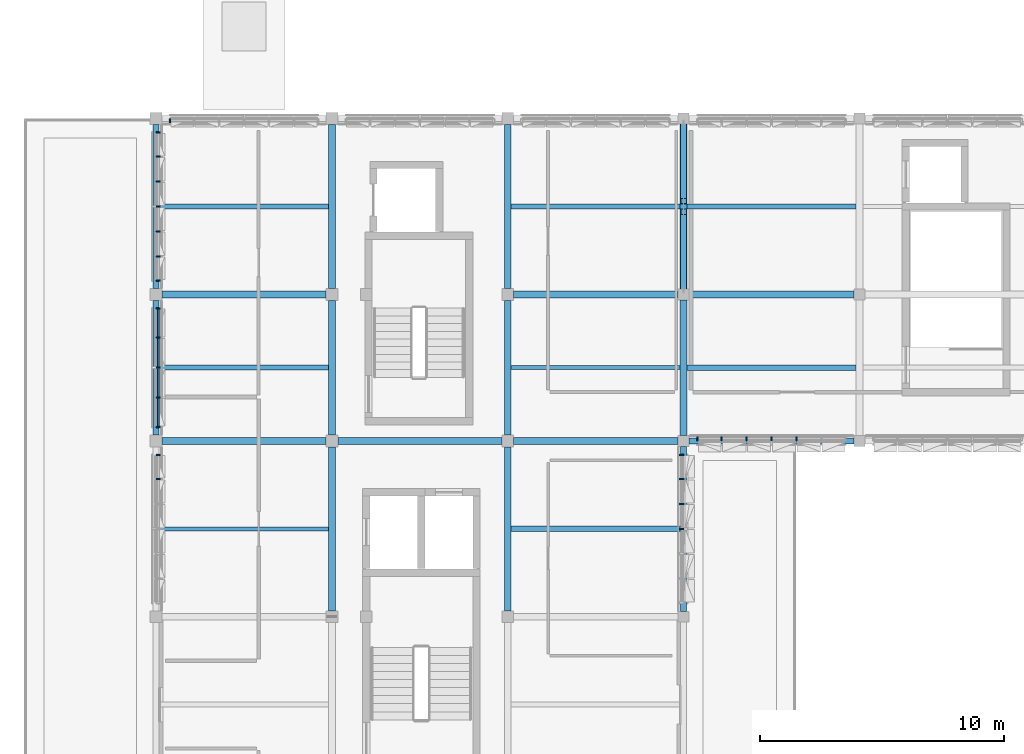
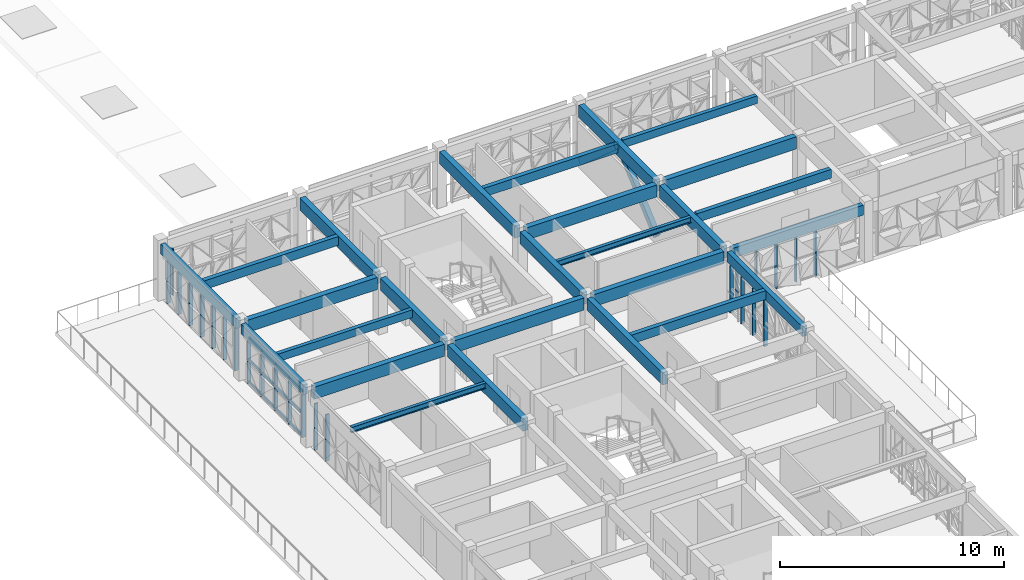
# One storey, part 4 of 35: 38 members, 26 beams, 6 elements without a shape of their own.
"""IFC4 building model written with IfcOpenShell, lengths in metres."""

from ifc_helpers import new_model, si_unit, direction, frame, origin, origin_2d, place, context, subcontext, project, spatial, rectangle, hollow_rectangle, i_section, extrude, material, material_profile, profile_set, type_object, element, aggregate, save


model = new_model("IFC4")

# Units and contexts
model_context = context("Model", 3, precision=1e-05, world=origin(), true_north=direction((0.0, 1.0)))
body_context = subcontext(model_context, "Body", "Model", "MODEL_VIEW")
ifc_project = project(units=[si_unit("LENGTHUNIT", "METRE"), si_unit("AREAUNIT", "SQUARE_METRE"), si_unit("VOLUMEUNIT", "CUBIC_METRE"), si_unit("PLANEANGLEUNIT", "RADIAN"), si_unit("MASSUNIT", "GRAM", prefix="KILO")], contexts=[model_context])

# Site, building, storey
site_placement = place(None, origin())
site = spatial("IfcSite", under=ifc_project, at=site_placement, CompositionType="ELEMENT")
building_placement = place(site_placement, origin())
building = spatial("IfcBuilding", under=site, at=building_placement, Name="Alvorim Cloister Faculty of Sciences", CompositionType="ELEMENT")
storey_placement = place(building_placement, frame((0.0, 0.0, 22.949951171875)))
storey = spatial("IfcBuildingStorey", under=building, at=storey_placement, Name="L06", CompositionType="ELEMENT", Elevation=22.949951171875)

# Beams
ifc_material_1 = material(Name="Glulam GL28h", Category="wood")
ifc_material_profile_1 = material_profile(ifc_material_1, rectangle(XDim=0.280029296875, YDim=0.659912109375, at=origin_2d()), Name="GL28-BM-280x660")
ifc_profile_set_1 = profile_set([ifc_material_profile_1], Name="Glulam GL28h")
beam_type_1 = type_object("IfcBeamType", Name="BM-GL-280x660", PredefinedType="BEAM", material=ifc_profile_set_1)
beam_1_placement = place(storey_placement, frame((7.43994140625, 43.199951171875, 2.760009765625), z_axis=(1.0, 0.0, 0.0), x_axis=(0.0, 1.0, 0.0)))
element("IfcBeam", 1, at=beam_1_placement, inside=storey, type_object=beam_type_1, Name="L06 Primary Beam BM-2047", PredefinedType="BEAM", context=body_context, shape_type="SweptSolid", body=[
    extrude(rectangle(XDim=0.280029296875, YDim=0.659912109375, at=origin_2d()), origin(), (0.0, 0.0, 1.0), 6.719970703125),
])
beam_2_placement = place(storey_placement, frame((14.639892578125, 43.199951171875, 2.760009765625), z_axis=(1.0, 0.0, 0.0), x_axis=(0.0, 1.0, 0.0)))
element("IfcBeam", 2, at=beam_2_placement, inside=storey, type_object=beam_type_1, Name="L06 Primary Beam BM-2048", PredefinedType="BEAM", context=body_context, shape_type="SweptSolid", body=[
    extrude(rectangle(XDim=0.280029296875, YDim=0.659912109375, at=origin_2d()), origin(), (0.0, 0.0, 1.0), 6.72021484375),
])
beam_3_placement = place(storey_placement, frame((21.840087890625, 43.199951171875, 2.760009765625), z_axis=(1.0, 0.0, 0.0), x_axis=(0.0, 1.0, 0.0)))
element("IfcBeam", 3, at=beam_3_placement, inside=storey, type_object=beam_type_1, Name="L06 Primary Beam BM-2049", PredefinedType="BEAM", context=body_context, shape_type="SweptSolid", body=[
    extrude(rectangle(XDim=0.280029296875, YDim=0.659912109375, at=origin_2d()), origin(), (0.0, 0.0, 1.0), 6.739990234375),
])
beam_4_placement = place(storey_placement, frame((7.43994140625, 49.199951171875, 2.760009765625), z_axis=(1.0, 0.0, 0.0), x_axis=(0.0, 1.0, 0.0)))
element("IfcBeam", 4, at=beam_4_placement, inside=storey, type_object=beam_type_1, Name="L06 Primary Beam BM-2053", PredefinedType="BEAM", context=body_context, shape_type="SweptSolid", body=[
    extrude(rectangle(XDim=0.280029296875, YDim=0.659912109375, at=origin_2d()), origin(), (0.0, 0.0, 1.0), 6.719970703125),
])
beam_5_placement = place(storey_placement, frame((21.840087890625, 49.199951171875, 2.760009765625), z_axis=(1.0, 0.0, 0.0), x_axis=(0.0, 1.0, 0.0)))
element("IfcBeam", 5, at=beam_5_placement, inside=storey, type_object=beam_type_1, Name="L06 Primary Beam BM-2054", PredefinedType="BEAM", context=body_context, shape_type="SweptSolid", body=[
    extrude(rectangle(XDim=0.280029296875, YDim=0.659912109375, at=origin_2d()), origin(), (0.0, 0.0, 1.0), 6.739990234375),
])
beam_6_placement = place(storey_placement, frame((29.02001953125, 49.199951171875, 2.860107421875), z_axis=(1.0, 0.0, 0.0), x_axis=(0.0, 1.0, 0.0)))
element("IfcBeam", 6, at=beam_6_placement, inside=storey, type_object=beam_type_1, Name="L06 Primary Beam BM-2055", PredefinedType="BEAM", context=body_context, shape_type="SweptSolid", body=[
    extrude(rectangle(XDim=0.280029296875, YDim=0.659912109375, at=origin_2d()), origin(), (0.0, 0.0, 1.0), 6.760009765625),
])
beam_7_placement = place(storey_placement, frame((14.39990234375, 36.239990234375, 2.760009765625), z_axis=(0.0, 1.0, 0.0), x_axis=(-1.0, 0.0, 0.0)))
element("IfcBeam", 7, at=beam_7_placement, inside=storey, type_object=beam_type_1, Name="L06 Primary Girder BM-2075", PredefinedType="BEAM", context=body_context, shape_type="SweptSolid", body=[
    extrude(rectangle(XDim=0.280029296875, YDim=0.659912109375, at=origin_2d()), origin(), (0.0, 0.0, 1.0), 6.719970703125),
])
beam_8_placement = place(storey_placement, frame((14.39990234375, 43.43994140625, 2.760009765625), z_axis=(0.0, 1.0, 0.0), x_axis=(-1.0, 0.0, 0.0)))
element("IfcBeam", 8, at=beam_8_placement, inside=storey, type_object=beam_type_1, Name="L06 Primary Girder BM-2076", PredefinedType="BEAM", context=body_context, shape_type="SweptSolid", body=[
    extrude(rectangle(XDim=0.280029296875, YDim=0.659912109375, at=origin_2d()), origin(), (0.0, 0.0, 1.0), 5.52001953125),
])
for number, where, z_axis, x_axis, name in (
    (9, (14.39990234375, 49.43994140625, 2.760009765625), (0.0, 1.0, 0.0), (-1.0, 0.0, 0.0), "L06 Primary Girder BM-2077"),
    (10, (21.60009765625, 36.239990234375, 2.760009765625), (0.0, 1.0, 0.0), (-1.0, 0.0, 0.0), "L06 Primary Girder BM-2082"),
):
    element("IfcBeam", number, at=place(storey_placement, frame(where, z_axis=z_axis, x_axis=x_axis)), inside=storey, type_object=beam_type_1, Name=name, PredefinedType="BEAM", context=body_context, shape_type="SweptSolid", body=[
        extrude(rectangle(XDim=0.280029296875, YDim=0.659912109375, at=origin_2d()), origin(), (0.0, 0.0, 1.0), 6.719970703125),
    ])
beam_9_placement = place(storey_placement, frame((21.60009765625, 43.43994140625, 2.760009765625), z_axis=(0.0, 1.0, 0.0), x_axis=(-1.0, 0.0, 0.0)))
element("IfcBeam", 11, at=beam_9_placement, inside=storey, type_object=beam_type_1, Name="L06 Primary Girder BM-2083", PredefinedType="BEAM", context=body_context, shape_type="SweptSolid", body=[
    extrude(rectangle(XDim=0.280029296875, YDim=0.659912109375, at=origin_2d()), origin(), (0.0, 0.0, 1.0), 5.52001953125),
])
beam_10_placement = place(storey_placement, frame((21.60009765625, 49.43994140625, 2.760009765625), z_axis=(0.0, 1.0, 0.0), x_axis=(-1.0, 0.0, 0.0)))
element("IfcBeam", 12, at=beam_10_placement, inside=storey, type_object=beam_type_1, Name="L06 Primary Girder BM-2084", PredefinedType="BEAM", context=body_context, shape_type="SweptSolid", body=[
    extrude(rectangle(XDim=0.280029296875, YDim=0.659912109375, at=origin_2d()), origin(), (0.0, 0.0, 1.0), 6.719970703125),
])
beam_11_placement = place(storey_placement, frame((28.800048828125, 43.419921875, 2.760009765625), z_axis=(0.0, 1.0, 0.0), x_axis=(-1.0, 0.0, 0.0)))
element("IfcBeam", 13, at=beam_11_placement, inside=storey, type_object=beam_type_1, Name="L06 Primary Girder BM-2090", PredefinedType="BEAM", context=body_context, shape_type="SweptSolid", body=[
    extrude(rectangle(XDim=0.280029296875, YDim=0.659912109375, at=origin_2d()), origin(), (0.0, 0.0, 1.0), 5.56005859375),
])
beam_12_placement = place(storey_placement, frame((28.800048828125, 49.419921875, 2.760009765625), z_axis=(0.0, 1.0, 0.0), x_axis=(-1.0, 0.0, 0.0)))
element("IfcBeam", 14, at=beam_12_placement, inside=storey, type_object=beam_type_1, Name="L06 Primary Girder BM-2091", PredefinedType="BEAM", context=body_context, shape_type="SweptSolid", body=[
    extrude(rectangle(XDim=0.280029296875, YDim=0.659912109375, at=origin_2d()), origin(), (0.0, 0.0, 1.0), 6.760009765625),
])
ifc_material_profile_2 = material_profile(ifc_material_1, rectangle(XDim=0.199951171875, YDim=0.419921875, at=origin_2d()), Name="GL28-JST-200x420")
ifc_profile_set_2 = profile_set([ifc_material_profile_2], Name="Glulam GL28h")
beam_type_2 = type_object("IfcBeamType", Name="BM-JST-GL-200x420", PredefinedType="JOIST", material=ifc_profile_set_2)
beam_13_placement = place(storey_placement, frame((7.320068359375, 46.199951171875, 2.880126953125), z_axis=(1.0, 0.0, 0.0), x_axis=(0.0, 1.0, 0.0)))
element("IfcBeam", 15, at=beam_13_placement, inside=storey, type_object=beam_type_2, Name="L06 Secondary Floor Joist BM-2103", PredefinedType="JOIST", context=body_context, shape_type="SweptSolid", body=[
    extrude(rectangle(XDim=0.199951171875, YDim=0.419921875, at=origin_2d()), origin(), (0.0, 0.0, 1.0), 6.93994140625),
])
beam_14_placement = place(storey_placement, frame((28.93994140625, 52.800048828125, 2.97998046875), z_axis=(1.0, 0.0, 0.0), x_axis=(0.0, 1.0, 0.0)))
element("IfcBeam", 16, at=beam_14_placement, inside=storey, type_object=beam_type_2, Name="L06 Secondary Floor Joist BM-2114", PredefinedType="JOIST", context=body_context, shape_type="SweptSolid", body=[
    extrude(rectangle(XDim=0.199951171875, YDim=0.419921875, at=origin_2d()), origin(), (0.0, 0.0, 1.0), 6.920166015625),
])
ifc_material_profile_3 = material_profile(ifc_material_1, rectangle(XDim=0.219970703125, YDim=0.47998046875, at=origin_2d()), Name="GL28-JST-220x480")
ifc_profile_set_3 = profile_set([ifc_material_profile_3], Name="Glulam GL28h")
beam_type_3 = type_object("IfcBeamType", Name="BM-JST-GL-220x480", PredefinedType="JOIST", material=ifc_profile_set_3)
for number, where, z_axis, x_axis, name in (
    (17, (7.320068359375, 52.800048828125, 2.85009765625), (1.0, 0.0, 0.0), (0.0, 1.0, 0.0), "L06 Secondary Floor Joist BM-2104"),
    (18, (21.739990234375, 39.60009765625, 2.85009765625), (1.0, 0.0, 0.0), (0.0, 1.0, 0.0), "L06 Secondary Floor Joist BM-2110"),
):
    element("IfcBeam", number, at=place(storey_placement, frame(where, z_axis=z_axis, x_axis=x_axis)), inside=storey, type_object=beam_type_3, Name=name, PredefinedType="JOIST", context=body_context, shape_type="SweptSolid", body=[
        extrude(rectangle(XDim=0.219970703125, YDim=0.47998046875, at=origin_2d()), origin(), (0.0, 0.0, 1.0), 6.93994140625),
    ])
beam_15_placement = place(storey_placement, frame((21.739990234375, 52.800048828125, 2.85009765625), z_axis=(1.0, 0.0, 0.0), x_axis=(0.0, 1.0, 0.0)))
element("IfcBeam", 19, at=beam_15_placement, inside=storey, type_object=beam_type_3, Name="L06 Secondary Floor Joist BM-2112", PredefinedType="JOIST", context=body_context, shape_type="SweptSolid", body=[
    extrude(rectangle(XDim=0.219970703125, YDim=0.47998046875, at=origin_2d()), origin(), (0.0, 0.0, 1.0), 6.919921875),
])
beam_16_placement = place(storey_placement, frame((28.93994140625, 46.199951171875, 2.949951171875), z_axis=(1.0, 0.0, 0.0), x_axis=(0.0, 1.0, 0.0)))
element("IfcBeam", 20, at=beam_16_placement, inside=storey, type_object=beam_type_3, Name="L06 Secondary Floor Joist BM-2113", PredefinedType="JOIST", context=body_context, shape_type="SweptSolid", body=[
    extrude(rectangle(XDim=0.219970703125, YDim=0.47998046875, at=origin_2d()), origin(), (0.0, 0.0, 1.0), 6.920166015625),
])
ifc_material_profile_4 = material_profile(ifc_material_1, rectangle(XDim=0.239990234375, YDim=0.5400390625, at=origin_2d()), Name="GL28-SPD-240x540")
ifc_profile_set_4 = profile_set([ifc_material_profile_4], Name="Glulam GL28h")
beam_type_4 = type_object("IfcBeamType", Name="BM-SPD-GL-240x540", PredefinedType="SPANDREL", material=ifc_profile_set_4)
beam_17_placement = place(storey_placement, frame((29.02001953125, 43.199951171875, 2.820068359375), z_axis=(1.0, 0.0, 0.0), x_axis=(0.0, 1.0, 0.0)))
element("IfcBeam", 21, at=beam_17_placement, inside=storey, type_object=beam_type_4, Name="L06 Primary Beam BM-2050", PredefinedType="SPANDREL", context=body_context, shape_type="SweptSolid", body=[
    extrude(rectangle(XDim=0.239990234375, YDim=0.5400390625, at=origin_2d()), origin(), (0.0, 0.0, 1.0), 6.760009765625),
])
beam_18_placement = place(storey_placement, frame((7.199951171875, 43.43994140625, 2.820068359375), z_axis=(0.0, 1.0, 0.0), x_axis=(-1.0, 0.0, 0.0)))
element("IfcBeam", 22, at=beam_18_placement, inside=storey, type_object=beam_type_4, Name="L06 Primary Girder BM-2069", PredefinedType="SPANDREL", context=body_context, shape_type="SweptSolid", body=[
    extrude(rectangle(XDim=0.239990234375, YDim=0.5400390625, at=origin_2d()), origin(), (0.0, 0.0, 1.0), 5.52001953125),
])
beam_19_placement = place(storey_placement, frame((7.199951171875, 49.43994140625, 2.820068359375), z_axis=(0.0, 1.0, 0.0), x_axis=(-1.0, 0.0, 0.0)))
element("IfcBeam", 23, at=beam_19_placement, inside=storey, type_object=beam_type_4, Name="L06 Primary Girder BM-2070", PredefinedType="SPANDREL", context=body_context, shape_type="SweptSolid", body=[
    extrude(rectangle(XDim=0.239990234375, YDim=0.5400390625, at=origin_2d()), origin(), (0.0, 0.0, 1.0), 6.719970703125),
])
beam_20_placement = place(storey_placement, frame((28.800048828125, 36.219970703125, 2.820068359375), z_axis=(0.0, 1.0, 0.0), x_axis=(-1.0, 0.0, 0.0)))
element("IfcBeam", 24, at=beam_20_placement, inside=storey, type_object=beam_type_4, Name="L06 Primary Girder BM-2089", PredefinedType="SPANDREL", context=body_context, shape_type="SweptSolid", body=[
    extrude(rectangle(XDim=0.239990234375, YDim=0.5400390625, at=origin_2d()), origin(), (0.0, 0.0, 1.0), 6.760009765625),
])
ifc_material_2 = material(Name="Steel ASTM A572 Grade 50", Category="steel")
ifc_material_profile_5 = material_profile(ifc_material_2, i_section(OverallWidth=0.1650390625, OverallDepth=0.31005859375, WebThickness=0.005859375, FlangeThickness=0.009765625, FilletRadius=0.010986328125, at=origin_2d()), Name="W310x38.7")
ifc_profile_set_5 = profile_set([ifc_material_profile_5], Name="Steel ASTM A572 Grade 50")
beam_type_5 = type_object("IfcBeamType", Name="BM-STL-W310", PredefinedType="JOIST", material=ifc_profile_set_5)
beam_21_placement = place(storey_placement, frame((7.320068359375, 39.60009765625, 2.93505859375), z_axis=(1.0, 0.0, 0.0), x_axis=(0.0, 1.0, 0.0)))
element("IfcBeam", 25, at=beam_21_placement, inside=storey, type_object=beam_type_5, Name="L06 Secondary Floor Joist BM-2102", PredefinedType="JOIST", context=body_context, shape_type="SweptSolid", body=[
    extrude(i_section(OverallWidth=0.1650390625, OverallDepth=0.31005859375, WebThickness=0.005859375, FlangeThickness=0.009765625, FilletRadius=0.010986328125, at=origin_2d()), origin(), (0.0, 0.0, 1.0), 6.93994140625),
])
beam_22_placement = place(storey_placement, frame((21.739990234375, 46.199951171875, 2.93505859375), z_axis=(1.0, 0.0, 0.0), x_axis=(0.0, 1.0, 0.0)))
element("IfcBeam", 26, at=beam_22_placement, inside=storey, type_object=beam_type_5, Name="L06 Secondary Floor Joist BM-2111", PredefinedType="JOIST", context=body_context, shape_type="SweptSolid", body=[
    extrude(i_section(OverallWidth=0.1650390625, OverallDepth=0.31005859375, WebThickness=0.005859375, FlangeThickness=0.009765625, FilletRadius=0.010986328125, at=origin_2d()), origin(), (0.0, 0.0, 1.0), 6.919921875),
])

# Curtain wall, members
ifc_material_3 = material(Name="Aluminium and Low-E Glass Curtain Wall", Category="aluminium")
curtain_wall_type_1 = type_object("IfcCurtainWallType", Name="CW-TRI-6120x2550", PredefinedType="USERDEFINED", material=ifc_material_3)
curtain_wall_1_placement = place(storey_placement, origin())
curtain_wall_1 = element("IfcCurtainWall", 27, at=curtain_wall_1_placement, inside=storey, type_object=curtain_wall_type_1, Name="L06 Diagonal Cassette Curtain Wall CW-0242", ObjectType="UNITISED CURTAIN WALL", PredefinedType="USERDEFINED")
ifc_material_4 = material(Name="Aluminium Alloy 6063-T6", Category="aluminium")
ifc_material_profile_6 = material_profile(ifc_material_4, rectangle(XDim=0.06494140625, YDim=0.179931640625, at=origin_2d()), Name="ALU-MUL-65x180")
ifc_profile_set_6 = profile_set([ifc_material_profile_6], Name="Aluminium Alloy 6063-T6")
member_type_1 = type_object("IfcMemberType", Name="CW-MUL-65x180", PredefinedType="MULLION", material=ifc_profile_set_6)
member_1_placement = place(storey_placement, frame((7.2900390625, 41.639892578125, 0.0), z_axis=(0.0, 0.0, 1.0), x_axis=(0.0, 1.0, 0.0)))
member_1 = element("IfcMember", 28, at=member_1_placement, type_object=member_type_1, Name="CW-0242 Mullion 6", PredefinedType="MULLION", context=body_context, shape_type="SweptSolid", body=[
    extrude(rectangle(XDim=0.06494140625, YDim=0.179931640625, at=origin_2d()), origin(), (0.0, 0.0, 1.0), 2.550048828125),
])
member_2_placement = place(storey_placement, frame((7.2900390625, 42.62744140625, 0.0), z_axis=(0.0, 0.0, 1.0), x_axis=(0.0, 1.0, 0.0)))
member_2 = element("IfcMember", 29, at=member_2_placement, type_object=member_type_1, Name="CW-0242 Mullion 7", PredefinedType="MULLION", context=body_context, shape_type="SweptSolid", body=[
    extrude(rectangle(XDim=0.06494140625, YDim=0.179931640625, at=origin_2d()), origin(), (0.0, 0.0, 1.0), 2.550048828125),
])
aggregate(curtain_wall_1, [member_1, member_2])

curtain_wall_type_2 = type_object("IfcCurtainWallType", Name="CW-TRI-4920x2550", PredefinedType="USERDEFINED", material=ifc_material_3)
curtain_wall_2_placement = place(storey_placement, origin())
curtain_wall_2 = element("IfcCurtainWall", 30, at=curtain_wall_2_placement, inside=storey, type_object=curtain_wall_type_2, Name="L06 Diagonal Cassette Curtain Wall CW-0243", ObjectType="UNITISED CURTAIN WALL", PredefinedType="USERDEFINED")
member_3_placement = place(storey_placement, frame((7.2900390625, 43.7724609375, 0.0), z_axis=(0.0, 0.0, 1.0), x_axis=(0.0, 1.0, 0.0)))
member_3 = element("IfcMember", 31, at=member_3_placement, type_object=member_type_1, Name="CW-0243 Mullion 1", PredefinedType="MULLION", context=body_context, shape_type="SweptSolid", body=[
    extrude(rectangle(XDim=0.06494140625, YDim=0.179931640625, at=origin_2d()), origin(), (0.0, 0.0, 1.0), 2.550048828125),
])
member_4_placement = place(storey_placement, frame((7.2900390625, 44.969970703125, 0.0), z_axis=(0.0, 0.0, 1.0), x_axis=(0.0, 1.0, 0.0)))
member_4 = element("IfcMember", 32, at=member_4_placement, type_object=member_type_1, Name="CW-0243 Mullion 2", PredefinedType="MULLION", context=body_context, shape_type="SweptSolid", body=[
    extrude(rectangle(XDim=0.06494140625, YDim=0.179931640625, at=origin_2d()), origin(), (0.0, 0.0, 1.0), 2.550048828125),
])
member_5_placement = place(storey_placement, frame((7.2900390625, 46.199951171875, 0.0), z_axis=(0.0, 0.0, 1.0), x_axis=(0.0, 1.0, 0.0)))
member_5 = element("IfcMember", 33, at=member_5_placement, type_object=member_type_1, Name="CW-0243 Mullion 3", PredefinedType="MULLION", context=body_context, shape_type="SweptSolid", body=[
    extrude(rectangle(XDim=0.06494140625, YDim=0.179931640625, at=origin_2d()), origin(), (0.0, 0.0, 1.0), 2.550048828125),
])
member_6_placement = place(storey_placement, frame((7.2900390625, 47.429931640625, 0.0), z_axis=(0.0, 0.0, 1.0), x_axis=(0.0, 1.0, 0.0)))
member_6 = element("IfcMember", 34, at=member_6_placement, type_object=member_type_1, Name="CW-0243 Mullion 4", PredefinedType="MULLION", context=body_context, shape_type="SweptSolid", body=[
    extrude(rectangle(XDim=0.06494140625, YDim=0.179931640625, at=origin_2d()), origin(), (0.0, 0.0, 1.0), 2.550048828125),
])
member_7_placement = place(storey_placement, frame((7.2900390625, 48.62744140625, 0.0), z_axis=(0.0, 0.0, 1.0), x_axis=(0.0, 1.0, 0.0)))
member_7 = element("IfcMember", 35, at=member_7_placement, type_object=member_type_1, Name="CW-0243 Mullion 5", PredefinedType="MULLION", context=body_context, shape_type="SweptSolid", body=[
    extrude(rectangle(XDim=0.06494140625, YDim=0.179931640625, at=origin_2d()), origin(), (0.0, 0.0, 1.0), 2.550048828125),
])

curtain_wall_3_placement = place(storey_placement, origin())
curtain_wall_3 = element("IfcCurtainWall", 36, at=curtain_wall_3_placement, inside=storey, type_object=curtain_wall_type_1, Name="L06 Diagonal Cassette Curtain Wall CW-0244", ObjectType="UNITISED CURTAIN WALL", PredefinedType="USERDEFINED")
member_8_placement = place(storey_placement, frame((7.2900390625, 49.7724609375, 0.0), z_axis=(0.0, 0.0, 1.0), x_axis=(0.0, 1.0, 0.0)))
member_8 = element("IfcMember", 37, at=member_8_placement, type_object=member_type_1, Name="CW-0244 Mullion 1", PredefinedType="MULLION", context=body_context, shape_type="SweptSolid", body=[
    extrude(rectangle(XDim=0.06494140625, YDim=0.179931640625, at=origin_2d()), origin(), (0.0, 0.0, 1.0), 2.550048828125),
])
member_9_placement = place(storey_placement, frame((7.2900390625, 50.760009765625, 0.0), z_axis=(0.0, 0.0, 1.0), x_axis=(0.0, 1.0, 0.0)))
member_9 = element("IfcMember", 38, at=member_9_placement, type_object=member_type_1, Name="CW-0244 Mullion 2", PredefinedType="MULLION", context=body_context, shape_type="SweptSolid", body=[
    extrude(rectangle(XDim=0.06494140625, YDim=0.179931640625, at=origin_2d()), origin(), (0.0, 0.0, 1.0), 2.550048828125),
])
member_10_placement = place(storey_placement, frame((7.2900390625, 51.780029296875, 0.0), z_axis=(0.0, 0.0, 1.0), x_axis=(0.0, 1.0, 0.0)))
member_10 = element("IfcMember", 39, at=member_10_placement, type_object=member_type_1, Name="CW-0244 Mullion 3", PredefinedType="MULLION", context=body_context, shape_type="SweptSolid", body=[
    extrude(rectangle(XDim=0.06494140625, YDim=0.179931640625, at=origin_2d()), origin(), (0.0, 0.0, 1.0), 2.550048828125),
])
member_11_placement = place(storey_placement, frame((7.2900390625, 52.800048828125, 0.0), z_axis=(0.0, 0.0, 1.0), x_axis=(0.0, 1.0, 0.0)))
member_11 = element("IfcMember", 40, at=member_11_placement, type_object=member_type_1, Name="CW-0244 Mullion 4", PredefinedType="MULLION", context=body_context, shape_type="SweptSolid", body=[
    extrude(rectangle(XDim=0.06494140625, YDim=0.179931640625, at=origin_2d()), origin(), (0.0, 0.0, 1.0), 2.550048828125),
])
member_12_placement = place(storey_placement, frame((7.2900390625, 53.820068359375, 0.0), z_axis=(0.0, 0.0, 1.0), x_axis=(0.0, 1.0, 0.0)))
member_12 = element("IfcMember", 41, at=member_12_placement, type_object=member_type_1, Name="CW-0244 Mullion 5", PredefinedType="MULLION", context=body_context, shape_type="SweptSolid", body=[
    extrude(rectangle(XDim=0.06494140625, YDim=0.179931640625, at=origin_2d()), origin(), (0.0, 0.0, 1.0), 2.550048828125),
])
member_13_placement = place(storey_placement, frame((7.2900390625, 54.840087890625, 0.0), z_axis=(0.0, 0.0, 1.0), x_axis=(0.0, 1.0, 0.0)))
member_13 = element("IfcMember", 42, at=member_13_placement, type_object=member_type_1, Name="CW-0244 Mullion 6", PredefinedType="MULLION", context=body_context, shape_type="SweptSolid", body=[
    extrude(rectangle(XDim=0.06494140625, YDim=0.179931640625, at=origin_2d()), origin(), (0.0, 0.0, 1.0), 2.550048828125),
])
member_14_placement = place(storey_placement, frame((7.2900390625, 55.827392578125, 0.0), z_axis=(0.0, 0.0, 1.0), x_axis=(0.0, 1.0, 0.0)))
member_14 = element("IfcMember", 43, at=member_14_placement, type_object=member_type_1, Name="CW-0244 Mullion 7", PredefinedType="MULLION", context=body_context, shape_type="SweptSolid", body=[
    extrude(rectangle(XDim=0.06494140625, YDim=0.179931640625, at=origin_2d()), origin(), (0.0, 0.0, 1.0), 2.550048828125),
])
aggregate(curtain_wall_3, [member_8, member_9, member_10, member_11, member_12, member_13, member_14])

# Curtain wall, member
curtain_wall_4_placement = place(storey_placement, origin())
curtain_wall_4 = element("IfcCurtainWall", 44, at=curtain_wall_4_placement, inside=storey, type_object=curtain_wall_type_1, Name="L06 Diagonal Cassette Curtain Wall CW-0245", ObjectType="UNITISED CURTAIN WALL", PredefinedType="USERDEFINED")
member_15_placement = place(storey_placement, frame((7.7724609375, 56.31005859375, 0.0), z_axis=(0.0, 0.0, 1.0), x_axis=(1.0, 0.0, 0.0)))
member_15 = element("IfcMember", 45, at=member_15_placement, type_object=member_type_1, Name="CW-0245 Mullion 1", PredefinedType="MULLION", context=body_context, shape_type="SweptSolid", body=[
    extrude(rectangle(XDim=0.06494140625, YDim=0.179931640625, at=origin_2d()), origin(), (0.0, 0.0, 1.0), 2.550048828125),
])
aggregate(curtain_wall_4, [member_15])

# Curtain wall, members
curtain_wall_5_placement = place(storey_placement, origin())
curtain_wall_5 = element("IfcCurtainWall", 46, at=curtain_wall_5_placement, inside=storey, type_object=curtain_wall_type_1, Name="L06 Diagonal Cassette Curtain Wall CW-0254", ObjectType="UNITISED CURTAIN WALL", PredefinedType="USERDEFINED")
member_16_placement = place(storey_placement, frame((29.37255859375, 43.2900390625, 0.0), z_axis=(0.0, 0.0, 1.0), x_axis=(1.0, 0.0, 0.0)))
member_16 = element("IfcMember", 47, at=member_16_placement, type_object=member_type_1, Name="CW-0254 Mullion 1", PredefinedType="MULLION", context=body_context, shape_type="SweptSolid", body=[
    extrude(rectangle(XDim=0.06494140625, YDim=0.179931640625, at=origin_2d()), origin(), (0.0, 0.0, 1.0), 2.550048828125),
])
member_17_placement = place(storey_placement, frame((30.360107421875, 43.2900390625, 0.0), z_axis=(0.0, 0.0, 1.0), x_axis=(1.0, 0.0, 0.0)))
member_17 = element("IfcMember", 48, at=member_17_placement, type_object=member_type_1, Name="CW-0254 Mullion 2", PredefinedType="MULLION", context=body_context, shape_type="SweptSolid", body=[
    extrude(rectangle(XDim=0.06494140625, YDim=0.179931640625, at=origin_2d()), origin(), (0.0, 0.0, 1.0), 2.550048828125),
])
member_18_placement = place(storey_placement, frame((31.3798828125, 43.2900390625, 0.0), z_axis=(0.0, 0.0, 1.0), x_axis=(1.0, 0.0, 0.0)))
member_18 = element("IfcMember", 49, at=member_18_placement, type_object=member_type_1, Name="CW-0254 Mullion 3", PredefinedType="MULLION", context=body_context, shape_type="SweptSolid", body=[
    extrude(rectangle(XDim=0.06494140625, YDim=0.179931640625, at=origin_2d()), origin(), (0.0, 0.0, 1.0), 2.550048828125),
])
member_19_placement = place(storey_placement, frame((32.39990234375, 43.2900390625, 0.0), z_axis=(0.0, 0.0, 1.0), x_axis=(1.0, 0.0, 0.0)))
member_19 = element("IfcMember", 50, at=member_19_placement, type_object=member_type_1, Name="CW-0254 Mullion 4", PredefinedType="MULLION", context=body_context, shape_type="SweptSolid", body=[
    extrude(rectangle(XDim=0.06494140625, YDim=0.179931640625, at=origin_2d()), origin(), (0.0, 0.0, 1.0), 2.550048828125),
])
member_20_placement = place(storey_placement, frame((33.419921875, 43.2900390625, 0.0), z_axis=(0.0, 0.0, 1.0), x_axis=(1.0, 0.0, 0.0)))
member_20 = element("IfcMember", 51, at=member_20_placement, type_object=member_type_1, Name="CW-0254 Mullion 5", PredefinedType="MULLION", context=body_context, shape_type="SweptSolid", body=[
    extrude(rectangle(XDim=0.06494140625, YDim=0.179931640625, at=origin_2d()), origin(), (0.0, 0.0, 1.0), 2.550048828125),
])
aggregate(curtain_wall_5, [member_16, member_17, member_18, member_19, member_20])

curtain_wall_6_placement = place(storey_placement, origin())
curtain_wall_6 = element("IfcCurtainWall", 52, at=curtain_wall_6_placement, inside=storey, type_object=curtain_wall_type_1, Name="L06 Diagonal Cassette Curtain Wall CW-0255", ObjectType="UNITISED CURTAIN WALL", PredefinedType="USERDEFINED")
member_21_placement = place(storey_placement, frame((28.7099609375, 39.60009765625, 0.0), z_axis=(0.0, 0.0, 1.0), x_axis=(0.0, 1.0, 0.0)))
member_21 = element("IfcMember", 53, at=member_21_placement, type_object=member_type_1, Name="CW-0255 Mullion 4", PredefinedType="MULLION", context=body_context, shape_type="SweptSolid", body=[
    extrude(rectangle(XDim=0.06494140625, YDim=0.179931640625, at=origin_2d()), origin(), (0.0, 0.0, 1.0), 2.550048828125),
])
member_22_placement = place(storey_placement, frame((28.7099609375, 40.6201171875, 0.0), z_axis=(0.0, 0.0, 1.0), x_axis=(0.0, 1.0, 0.0)))
member_22 = element("IfcMember", 54, at=member_22_placement, type_object=member_type_1, Name="CW-0255 Mullion 5", PredefinedType="MULLION", context=body_context, shape_type="SweptSolid", body=[
    extrude(rectangle(XDim=0.06494140625, YDim=0.179931640625, at=origin_2d()), origin(), (0.0, 0.0, 1.0), 2.550048828125),
])
member_23_placement = place(storey_placement, frame((28.7099609375, 41.639892578125, 0.0), z_axis=(0.0, 0.0, 1.0), x_axis=(0.0, 1.0, 0.0)))
member_23 = element("IfcMember", 55, at=member_23_placement, type_object=member_type_1, Name="CW-0255 Mullion 6", PredefinedType="MULLION", context=body_context, shape_type="SweptSolid", body=[
    extrude(rectangle(XDim=0.06494140625, YDim=0.179931640625, at=origin_2d()), origin(), (0.0, 0.0, 1.0), 2.550048828125),
])
member_24_placement = place(storey_placement, frame((28.7099609375, 42.62744140625, 0.0), z_axis=(0.0, 0.0, 1.0), x_axis=(0.0, 1.0, 0.0)))
member_24 = element("IfcMember", 56, at=member_24_placement, type_object=member_type_1, Name="CW-0255 Mullion 7", PredefinedType="MULLION", context=body_context, shape_type="SweptSolid", body=[
    extrude(rectangle(XDim=0.06494140625, YDim=0.179931640625, at=origin_2d()), origin(), (0.0, 0.0, 1.0), 2.550048828125),
])
aggregate(curtain_wall_6, [member_21, member_22, member_23, member_24])

# Member
ifc_material_profile_7 = material_profile(ifc_material_4, rectangle(XDim=0.06494140625, YDim=0.139892578125, at=origin_2d()), Name="ALU-TRN-65x140")
ifc_profile_set_7 = profile_set([ifc_material_profile_7], Name="Aluminium Alloy 6063-T6")
member_type_2 = type_object("IfcMemberType", Name="CW-TRN-65x140", PredefinedType="USERDEFINED", material=ifc_profile_set_7)
member_25_placement = place(storey_placement, frame((7.2900390625, 43.804931640625, 0.070068359375), z_axis=(0.0, 1.0, 0.0), x_axis=(-1.0, 0.0, 0.0)))
member_25 = element("IfcMember", 57, at=member_25_placement, type_object=member_type_2, Name="CW-0243 Transom 1.1", ObjectType="TRANSOM", PredefinedType="USERDEFINED", context=body_context, shape_type="SweptSolid", body=[
    extrude(rectangle(XDim=0.06494140625, YDim=0.139892578125, at=origin_2d()), origin(), (0.0, 0.0, 1.0), 1.132568359375),
])

member_26_placement = place(storey_placement, frame((7.2900390625, 43.804931640625, 1.275146484375), z_axis=(0.0, 1.0, 0.0), x_axis=(-1.0, 0.0, 0.0)))
member_26 = element("IfcMember", 58, at=member_26_placement, type_object=member_type_2, Name="CW-0243 Transom 1.2", ObjectType="TRANSOM", PredefinedType="USERDEFINED", context=body_context, shape_type="SweptSolid", body=[
    extrude(rectangle(XDim=0.06494140625, YDim=0.139892578125, at=origin_2d()), origin(), (0.0, 0.0, 1.0), 1.132568359375),
])

member_27_placement = place(storey_placement, frame((7.2900390625, 43.804931640625, 2.47998046875), z_axis=(0.0, 1.0, 0.0), x_axis=(-1.0, 0.0, 0.0)))
member_27 = element("IfcMember", 59, at=member_27_placement, type_object=member_type_2, Name="CW-0243 Transom 1.3", ObjectType="TRANSOM", PredefinedType="USERDEFINED", context=body_context, shape_type="SweptSolid", body=[
    extrude(rectangle(XDim=0.06494140625, YDim=0.139892578125, at=origin_2d()), origin(), (0.0, 0.0, 1.0), 1.132568359375),
])

member_28_placement = place(storey_placement, frame((7.2900390625, 45.00244140625, 0.070068359375), z_axis=(0.0, 1.0, 0.0), x_axis=(-1.0, 0.0, 0.0)))
member_28 = element("IfcMember", 60, at=member_28_placement, type_object=member_type_2, Name="CW-0243 Transom 2.1", ObjectType="TRANSOM", PredefinedType="USERDEFINED", context=body_context, shape_type="SweptSolid", body=[
    extrude(rectangle(XDim=0.06494140625, YDim=0.139892578125, at=origin_2d()), origin(), (0.0, 0.0, 1.0), 1.1650390625),
])

member_29_placement = place(storey_placement, frame((7.2900390625, 45.00244140625, 1.275146484375), z_axis=(0.0, 1.0, 0.0), x_axis=(-1.0, 0.0, 0.0)))
member_29 = element("IfcMember", 61, at=member_29_placement, type_object=member_type_2, Name="CW-0243 Transom 2.2", ObjectType="TRANSOM", PredefinedType="USERDEFINED", context=body_context, shape_type="SweptSolid", body=[
    extrude(rectangle(XDim=0.06494140625, YDim=0.139892578125, at=origin_2d()), origin(), (0.0, 0.0, 1.0), 1.1650390625),
])

member_30_placement = place(storey_placement, frame((7.2900390625, 45.00244140625, 2.47998046875), z_axis=(0.0, 1.0, 0.0), x_axis=(-1.0, 0.0, 0.0)))
member_30 = element("IfcMember", 62, at=member_30_placement, type_object=member_type_2, Name="CW-0243 Transom 2.3", ObjectType="TRANSOM", PredefinedType="USERDEFINED", context=body_context, shape_type="SweptSolid", body=[
    extrude(rectangle(XDim=0.06494140625, YDim=0.139892578125, at=origin_2d()), origin(), (0.0, 0.0, 1.0), 1.1650390625),
])

member_31_placement = place(storey_placement, frame((7.2900390625, 46.232421875, 0.070068359375), z_axis=(0.0, 1.0, 0.0), x_axis=(-1.0, 0.0, 0.0)))
member_31 = element("IfcMember", 63, at=member_31_placement, type_object=member_type_2, Name="CW-0243 Transom 3.1", ObjectType="TRANSOM", PredefinedType="USERDEFINED", context=body_context, shape_type="SweptSolid", body=[
    extrude(rectangle(XDim=0.06494140625, YDim=0.139892578125, at=origin_2d()), origin(), (0.0, 0.0, 1.0), 1.1650390625),
])

member_32_placement = place(storey_placement, frame((7.2900390625, 46.232421875, 1.275146484375), z_axis=(0.0, 1.0, 0.0), x_axis=(-1.0, 0.0, 0.0)))
member_32 = element("IfcMember", 64, at=member_32_placement, type_object=member_type_2, Name="CW-0243 Transom 3.2", ObjectType="TRANSOM", PredefinedType="USERDEFINED", context=body_context, shape_type="SweptSolid", body=[
    extrude(rectangle(XDim=0.06494140625, YDim=0.139892578125, at=origin_2d()), origin(), (0.0, 0.0, 1.0), 1.1650390625),
])

member_33_placement = place(storey_placement, frame((7.2900390625, 46.232421875, 2.47998046875), z_axis=(0.0, 1.0, 0.0), x_axis=(-1.0, 0.0, 0.0)))
member_33 = element("IfcMember", 65, at=member_33_placement, type_object=member_type_2, Name="CW-0243 Transom 3.3", ObjectType="TRANSOM", PredefinedType="USERDEFINED", context=body_context, shape_type="SweptSolid", body=[
    extrude(rectangle(XDim=0.06494140625, YDim=0.139892578125, at=origin_2d()), origin(), (0.0, 0.0, 1.0), 1.1650390625),
])

member_34_placement = place(storey_placement, frame((7.2900390625, 47.46240234375, 0.070068359375), z_axis=(0.0, 1.0, 0.0), x_axis=(-1.0, 0.0, 0.0)))
member_34 = element("IfcMember", 66, at=member_34_placement, type_object=member_type_2, Name="CW-0243 Transom 4.1", ObjectType="TRANSOM", PredefinedType="USERDEFINED", context=body_context, shape_type="SweptSolid", body=[
    extrude(rectangle(XDim=0.06494140625, YDim=0.139892578125, at=origin_2d()), origin(), (0.0, 0.0, 1.0), 1.132568359375),
])

member_35_placement = place(storey_placement, frame((7.2900390625, 47.46240234375, 1.275146484375), z_axis=(0.0, 1.0, 0.0), x_axis=(-1.0, 0.0, 0.0)))
member_35 = element("IfcMember", 67, at=member_35_placement, type_object=member_type_2, Name="CW-0243 Transom 4.2", ObjectType="TRANSOM", PredefinedType="USERDEFINED", context=body_context, shape_type="SweptSolid", body=[
    extrude(rectangle(XDim=0.06494140625, YDim=0.139892578125, at=origin_2d()), origin(), (0.0, 0.0, 1.0), 1.132568359375),
])

member_36_placement = place(storey_placement, frame((7.2900390625, 47.46240234375, 2.47998046875), z_axis=(0.0, 1.0, 0.0), x_axis=(-1.0, 0.0, 0.0)))
member_36 = element("IfcMember", 68, at=member_36_placement, type_object=member_type_2, Name="CW-0243 Transom 4.3", ObjectType="TRANSOM", PredefinedType="USERDEFINED", context=body_context, shape_type="SweptSolid", body=[
    extrude(rectangle(XDim=0.06494140625, YDim=0.139892578125, at=origin_2d()), origin(), (0.0, 0.0, 1.0), 1.132568359375),
])

aggregate(curtain_wall_2, [member_3, member_4, member_5, member_6, member_7, member_25, member_26, member_27, member_28, member_29, member_30, member_31, member_32, member_33, member_34, member_35, member_36])

# Members
ifc_material_profile_8 = material_profile(ifc_material_2, hollow_rectangle(XDim=0.25, YDim=0.35009765625, WallThickness=0.012451171875, at=origin_2d()), Name="RHS350x250x12.5")
ifc_profile_set_8 = profile_set([ifc_material_profile_8], Name="Steel ASTM A572 Grade 50")
member_type_3 = type_object("IfcMemberType", Name="MB-BRC-RHS350", PredefinedType="BRACE", material=ifc_profile_set_8)
member_37_placement = place(storey_placement, frame((28.800048828125, 49.419921875, 0.0), z_axis=(0.0, 0.753181940801, 0.65781225593), x_axis=(-1.0, 0.0, 0.0)))
element("IfcMember", 69, at=member_37_placement, inside=storey, type_object=member_type_3, Name="L06 Lateral Chevron Brace MB-0041", PredefinedType="BRACE", context=body_context, shape_type="SweptSolid", body=[
    extrude(hollow_rectangle(XDim=0.25, YDim=0.35009765625, WallThickness=0.012451171875, at=origin_2d()), origin(), (0.0, 0.0, 1.0), 4.19580078125),
])
member_38_placement = place(storey_placement, frame((28.800048828125, 56.179931640625, 0.0), z_axis=(0.0, -0.753156760329, 0.657841085955), x_axis=(1.0, 0.0, 0.0)))
element("IfcMember", 70, at=member_38_placement, inside=storey, type_object=member_type_3, Name="L06 Lateral Chevron Brace MB-0042", PredefinedType="BRACE", context=body_context, shape_type="SweptSolid", body=[
    extrude(hollow_rectangle(XDim=0.25, YDim=0.35009765625, WallThickness=0.012451171875, at=origin_2d()), origin(), (0.0, 0.0, 1.0), 4.195556640625),
])

save(model, "model.ifc")
